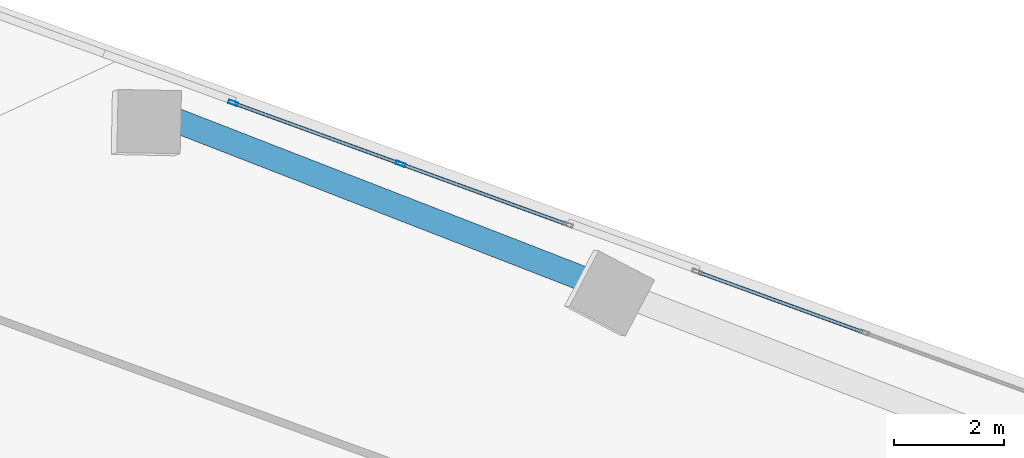
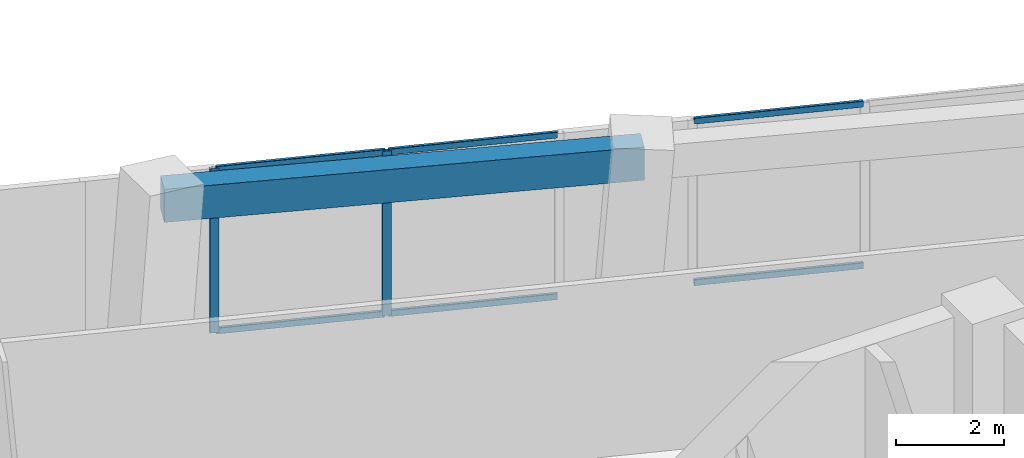
# One storey, part 13 of 21: 8 members, 1 beam, 2 elements without a shape of their own.
"""IFC4 building model written with IfcOpenShell, lengths in metres."""

from ifc_helpers import new_model, si_unit, direction, frame, origin, origin_2d, place, context, subcontext, project, spatial, rectangle, hollow_rectangle, extrude, source, transform, mapped, material, material_profile, profile_set, type_object, element, aggregate, save


model = new_model("IFC4")

# Units and contexts
model_context = context("Model", 3, precision=1e-05, world=origin(), true_north=direction((0.0, 1.0)))
body_context = subcontext(model_context, "Body", "Model", "MODEL_VIEW")
ifc_project = project(units=[si_unit("LENGTHUNIT", "METRE"), si_unit("AREAUNIT", "SQUARE_METRE"), si_unit("VOLUMEUNIT", "CUBIC_METRE"), si_unit("PLANEANGLEUNIT", "RADIAN"), si_unit("MASSUNIT", "GRAM", prefix="KILO")], contexts=[model_context])

# Site, building, storey
site_placement = place(None, origin())
site = spatial("IfcSite", under=ifc_project, at=site_placement, CompositionType="ELEMENT")
building_placement = place(site_placement, origin())
building = spatial("IfcBuilding", under=site, at=building_placement, Name="Torre Montelarca", CompositionType="ELEMENT")
storey_placement = place(building_placement, frame((0.0, 0.0, 133.0)))
storey = spatial("IfcBuildingStorey", under=building, at=storey_placement, Name="L29", CompositionType="ELEMENT", Elevation=133.0)

# Beam
ifc_material_1 = material(Name="Concrete C55/67", Category="concrete")
ifc_material_profile_1 = material_profile(ifc_material_1, rectangle(XDim=0.449951171875, YDim=0.75, at=origin_2d()), Name="RCB450X750", Category="concrete")
ifc_profile_set_1 = profile_set([ifc_material_profile_1], Name="Concrete C55/67")
beam_type = type_object("IfcBeamType", Name="BM-SP-RC750-EXT", PredefinedType="SPANDREL", material=ifc_profile_set_1)
shared_shape_1 = source(origin(), body_context, "Body", "SweptSolid", [
    extrude(rectangle(XDim=0.449951171875, YDim=0.75, at=origin_2d()), origin(), (0.0, 0.0, 1.0), 9.0),
])
beam_placement = place(storey_placement, frame((15.3408203125, 50.650390625, 3.5849609375), z_axis=(0.932008744078, -0.362435788743, 0.0), x_axis=(0.362435788743, 0.932008744078, 0.0)))
element("IfcBeam", 1, at=beam_placement, inside=storey, type_object=beam_type, Name="L29 Grid Girder X 9.0-18.0 at Y=47.1", PredefinedType="SPANDREL", context=body_context, shape_type="MappedRepresentation", body=[
    mapped(shared_shape_1, transform((0.0, 0.0, 0.0), scale=1.0)),
])

# Curtain wall, members
ifc_material_2 = material(Name="Insulated low-E laminated glass", Category="glass")
curtain_wall_type = type_object("IfcCurtainWallType", Name="CW-SYS-Z2", PredefinedType="USERDEFINED", material=ifc_material_2)
curtain_wall_1_placement = place(storey_placement, origin())
curtain_wall_1 = element("IfcCurtainWall", 2, at=curtain_wall_1_placement, inside=storey, type_object=curtain_wall_type, Name="L29 Curtain Wall Run CW-T3-L29-E08-B4", ObjectType="UNITISED GLAZING", PredefinedType="USERDEFINED")
ifc_material_3 = material(Name="Anodised aluminium AA 6063-T6", Category="aluminium")
ifc_material_profile_2 = material_profile(ifc_material_3, hollow_rectangle(XDim=0.06494140625, YDim=0.179931640625, WallThickness=0.00390625, InnerFilletRadius=0.00390625, OuterFilletRadius=0.008056640625, at=origin_2d()), Name="ALU65X180X4", Category="aluminium")
ifc_profile_set_2 = profile_set([ifc_material_profile_2], Name="Anodised aluminium AA 6063-T6")
member_type_1 = type_object("IfcMemberType", Name="CWM-ALU180", PredefinedType="MULLION", material=ifc_profile_set_2)
shared_shape_2 = source(origin(), body_context, "Body", "SweptSolid", [
    extrude(hollow_rectangle(XDim=0.06494140625, YDim=0.179931640625, WallThickness=0.00390625, InnerFilletRadius=0.00390625, OuterFilletRadius=0.008056640625, at=origin_2d()), origin(), (0.0, 0.0, 1.0), 3.719970703125),
])
member_1_placement = place(storey_placement, frame((19.635498046875, 49.780029296875, 0.0), z_axis=(0.0, 0.0, 1.0), x_axis=(-0.342021031195, -0.939692297627, 0.0)))
member_1 = element("IfcMember", 3, at=member_1_placement, type_object=member_type_1, Name="CW mullion 2", PredefinedType="MULLION", context=body_context, shape_type="MappedRepresentation", body=[
    mapped(shared_shape_2, transform((0.0, 0.0, 0.0), scale=1.0)),
])
member_2_placement = place(storey_placement, frame((16.58544921875, 50.89013671875, 0.0), z_axis=(0.0, 0.0, 1.0), x_axis=(-0.342021031195, -0.939692297627, 0.0)))
member_2 = element("IfcMember", 4, at=member_2_placement, type_object=member_type_1, Name="CW mullion 3", PredefinedType="MULLION", context=body_context, shape_type="MappedRepresentation", body=[
    mapped(shared_shape_2, transform((0.0, 0.0, 0.0), scale=1.0)),
])

curtain_wall_2_placement = place(storey_placement, origin())
curtain_wall_2 = element("IfcCurtainWall", 5, at=curtain_wall_2_placement, inside=storey, type_object=curtain_wall_type, Name="L29 Curtain Wall Run CW-T3-L29-E08-B3", ObjectType="UNITISED GLAZING", PredefinedType="USERDEFINED")
ifc_material_profile_3 = material_profile(ifc_material_3, hollow_rectangle(XDim=0.06494140625, YDim=0.139892578125, WallThickness=0.00390625, InnerFilletRadius=0.00390625, OuterFilletRadius=0.008056640625, at=origin_2d()), Name="ALU65X140X4", Category="aluminium")
ifc_profile_set_3 = profile_set([ifc_material_profile_3], Name="Anodised aluminium AA 6063-T6")
member_type_2 = type_object("IfcMemberType", Name="CWT-ALU140", PredefinedType="USERDEFINED", material=ifc_profile_set_3)
shared_shape_3 = source(origin(), body_context, "Body", "SweptSolid", [
    extrude(hollow_rectangle(XDim=0.06494140625, YDim=0.139892578125, WallThickness=0.00390625, InnerFilletRadius=0.00390625, OuterFilletRadius=0.008056640625, at=origin_2d()), origin(), (0.0, 0.0, 1.0), 3.181884765625),
])
member_3_placement = place(storey_placement, frame((28.06103515625, 46.71337890625, 0.032470703125), z_axis=(-0.939706021972, 0.341983321624, 0.0), x_axis=(-0.341983321624, -0.939706021972, 0.0)))
member_3 = element("IfcMember", 6, at=member_3_placement, type_object=member_type_2, Name="CW transom 2.1", ObjectType="TRANSOM", PredefinedType="USERDEFINED", context=body_context, shape_type="MappedRepresentation", body=[
    mapped(shared_shape_3, transform((0.0, 0.0, 0.0), scale=1.0)),
])
member_4_placement = place(storey_placement, frame((28.06103515625, 46.71337890625, 3.6875), z_axis=(-0.939706021972, 0.341983321624, 0.0), x_axis=(-0.341983321624, -0.939706021972, 0.0)))
member_4 = element("IfcMember", 7, at=member_4_placement, type_object=member_type_2, Name="CW transom 2.2", ObjectType="TRANSOM", PredefinedType="USERDEFINED", context=body_context, shape_type="MappedRepresentation", body=[
    mapped(shared_shape_3, transform((0.0, 0.0, 0.0), scale=1.0)),
])
aggregate(curtain_wall_2, [member_3, member_4])

# Member
shared_shape_4 = source(origin(), body_context, "Body", "SweptSolid", [
    extrude(hollow_rectangle(XDim=0.06494140625, YDim=0.139892578125, WallThickness=0.00390625, InnerFilletRadius=0.00390625, OuterFilletRadius=0.008056640625, at=origin_2d()), origin(), (0.0, 0.0, 1.0), 3.180908203125),
])
member_5_placement = place(storey_placement, frame((22.655029296875, 48.680908203125, 0.032470703125), z_axis=(-0.939694781157, 0.342014207697, 0.0), x_axis=(-0.342014207697, -0.939694781157, 0.0)))
member_5 = element("IfcMember", 8, at=member_5_placement, type_object=member_type_2, Name="CW transom 1.1", ObjectType="TRANSOM", PredefinedType="USERDEFINED", context=body_context, shape_type="MappedRepresentation", body=[
    mapped(shared_shape_4, transform((0.0, 0.0, 0.0), scale=1.0)),
])

member_6_placement = place(storey_placement, frame((22.655029296875, 48.680908203125, 3.6875), z_axis=(-0.939694781157, 0.342014207697, 0.0), x_axis=(-0.342014207697, -0.939694781157, 0.0)))
member_6 = element("IfcMember", 9, at=member_6_placement, type_object=member_type_2, Name="CW transom 1.2", ObjectType="TRANSOM", PredefinedType="USERDEFINED", context=body_context, shape_type="MappedRepresentation", body=[
    mapped(shared_shape_4, transform((0.0, 0.0, 0.0), scale=1.0)),
])

member_7_placement = place(storey_placement, frame((19.60498046875, 49.791015625, 0.032470703125), z_axis=(-0.939694781157, 0.342014207697, 0.0), x_axis=(-0.342014207697, -0.939694781157, 0.0)))
member_7 = element("IfcMember", 10, at=member_7_placement, type_object=member_type_2, Name="CW transom 2.1", ObjectType="TRANSOM", PredefinedType="USERDEFINED", context=body_context, shape_type="MappedRepresentation", body=[
    mapped(shared_shape_4, transform((0.0, 0.0, 0.0), scale=1.0)),
])

member_8_placement = place(storey_placement, frame((19.60498046875, 49.791015625, 3.6875), z_axis=(-0.939694781157, 0.342014207697, 0.0), x_axis=(-0.342014207697, -0.939694781157, 0.0)))
member_8 = element("IfcMember", 11, at=member_8_placement, type_object=member_type_2, Name="CW transom 2.2", ObjectType="TRANSOM", PredefinedType="USERDEFINED", context=body_context, shape_type="MappedRepresentation", body=[
    mapped(shared_shape_4, transform((0.0, 0.0, 0.0), scale=1.0)),
])

aggregate(curtain_wall_1, [member_1, member_2, member_5, member_6, member_7, member_8])

save(model, "model.ifc")
